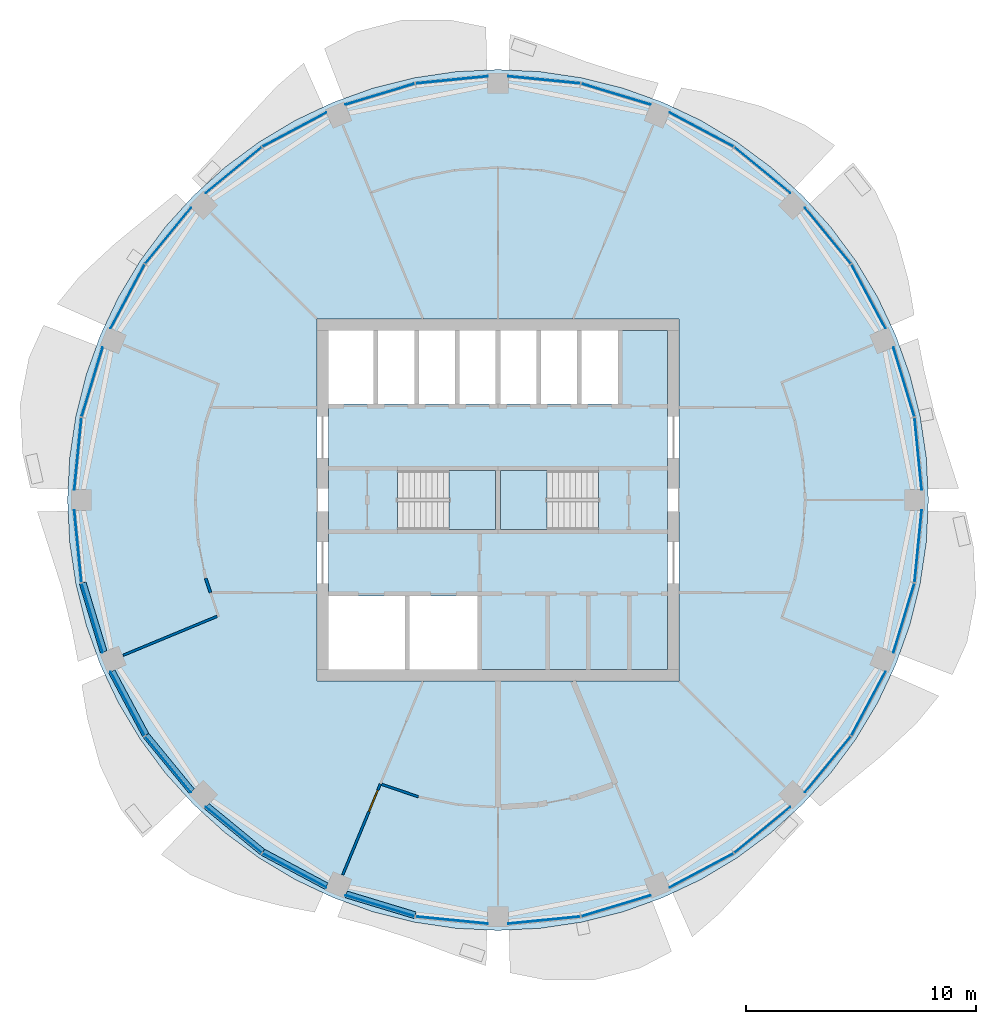
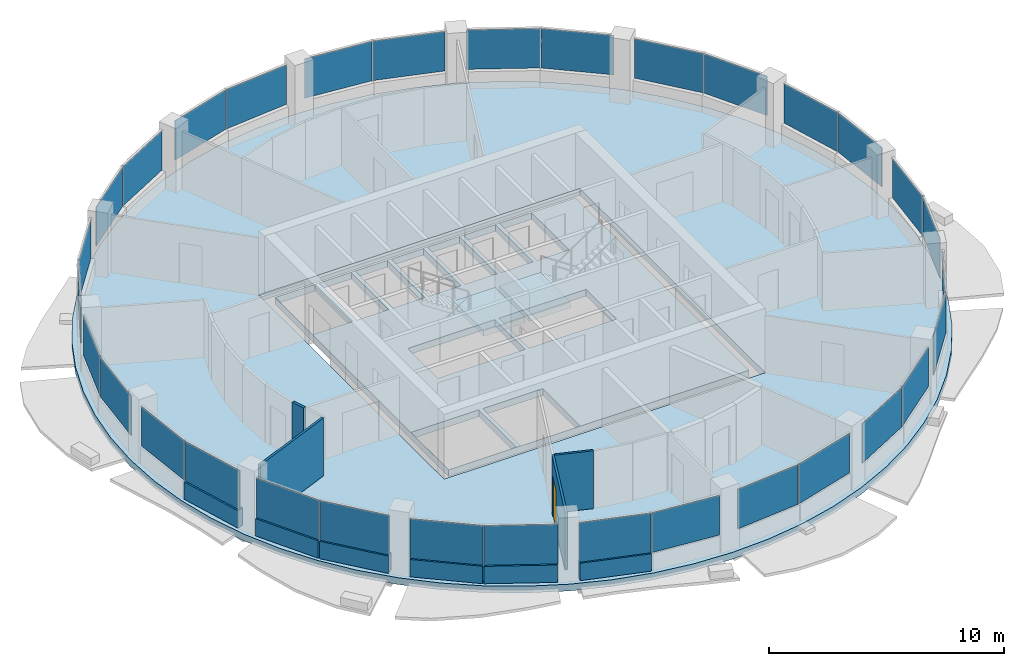
# One storey, part 7 of 15: 32 plates, 10 walls, 4 slabs, 1 door, 1 opening, 18 elements without a shape of their own.
"""IFC4 building model written with IfcOpenShell, lengths in metres."""

import ifcopenshell
import ifcopenshell.guid

model = None  # the IFC model being written
_history = None  # IfcOwnerHistory: only IFC2X3 demands one
_inside = {}  # id of a spatial element -> (the spatial element, [elements in it])
_under = {}  # id of a project, library or spatial element -> (it, [spatial elements below it])
_declared = {}  # id of a project -> (the project, [libraries it declares])
_typed = {}  # id of a type object -> (the type object, [elements of that type])
_made_of = {}  # id of a material, layer set ... -> (it, [elements and type objects made of it])


def new_model(schema):
    """Start an empty IFC model of exactly this schema.

    Asked for "IFC4X3", IfcOpenShell would pick the latest addendum, in which some entities
    have other attributes; the version numbers below select the first issue.
    IFC2X3 requires an IfcOwnerHistory on every rooted entity: one is made here for all.
    """
    global model, _history
    if schema == "IFC4X3":
        model = ifcopenshell.file(schema_version=(4, 3, 0, 0))
    else:
        model = ifcopenshell.file(schema=schema)
    _inside.clear()
    _under.clear()
    _declared.clear()
    _typed.clear()
    _made_of.clear()
    _history = None
    if model.schema == "IFC2X3":
        org = make("IfcOrganization", Name="unknown")
        user = make(
            "IfcPersonAndOrganization",
            ThePerson=make("IfcPerson", FamilyName="unknown"),
            TheOrganization=org,
        )
        app = make(
            "IfcApplication",
            ApplicationDeveloper=org,
            Version="unknown",
            ApplicationFullName="unknown",
            ApplicationIdentifier="unknown",
        )
        _history = make(
            "IfcOwnerHistory",
            OwningUser=user,
            OwningApplication=app,
            ChangeAction="ADDED",
            CreationDate=0,
        )
    return model


def make(cls, **values):
    """One entity of the class cls with the attributes given. An attribute that is None is left unset."""
    return model.create_entity(
        cls, **{name: value for name, value in values.items() if value is not None}
    )


def rooted(cls, **values):
    """An entity with a GlobalId (a new one), such as an element, a storey or a relation."""
    return make(cls, GlobalId=ifcopenshell.guid.new(), OwnerHistory=_history, **values)


def si_unit(unit_type, name, prefix=None):
    """IfcSIUnit, for example si_unit("LENGTHUNIT", "METRE", prefix="MILLI")."""
    return make("IfcSIUnit", UnitType=unit_type, Prefix=prefix, Name=name)


def assignment(units):
    """IfcUnitAssignment: the units of a project."""
    return None if units is None else make("IfcUnitAssignment", Units=units)


def point(xyz):
    """IfcCartesianPoint."""
    return None if xyz is None else make("IfcCartesianPoint", Coordinates=xyz)


def direction(xyz):
    """IfcDirection."""
    return None if xyz is None else make("IfcDirection", DirectionRatios=xyz)


def frame(location, z_axis=None, x_axis=None):
    """IfcAxis2Placement3D, a coordinate frame: its origin and axes. An axis left out is left unset."""
    return make(
        "IfcAxis2Placement3D",
        Location=point(location),
        Axis=direction(z_axis),
        RefDirection=direction(x_axis),
    )


def frame_2d(location, x_axis=None):
    """IfcAxis2Placement2D, a coordinate frame in the plane: its origin and x axis."""
    return make(
        "IfcAxis2Placement2D", Location=point(location), RefDirection=direction(x_axis)
    )


def origin():
    """The frame at (0, 0, 0) with its axes left unset."""
    return frame((0.0, 0.0, 0.0))


def origin_2d():
    """The frame at (0, 0) in the plane with its x axis left unset."""
    return frame_2d((0.0, 0.0))


def place(relative_to, where):
    """IfcLocalPlacement: puts the frame where relative to a parent placement (None: the world)."""
    return make(
        "IfcLocalPlacement", PlacementRelTo=relative_to, RelativePlacement=where
    )


def context(
    kind, dimensions, precision=None, world=None, true_north=None, identifier=None
):
    """IfcGeometricRepresentationContext, for example the 3D "Model" context."""
    return make(
        "IfcGeometricRepresentationContext",
        ContextIdentifier=identifier,
        ContextType=kind,
        CoordinateSpaceDimension=dimensions,
        Precision=precision,
        WorldCoordinateSystem=world,
        TrueNorth=true_north,
    )


def subcontext(parent, identifier, kind, view, scale=None):
    """IfcGeometricRepresentationSubContext, for example "Body" below "Model"."""
    return make(
        "IfcGeometricRepresentationSubContext",
        ContextIdentifier=identifier,
        ContextType=kind,
        ParentContext=parent,
        TargetScale=scale,
        TargetView=view,
    )


def project(units=None, contexts=None):
    """IfcProject with its units and contexts."""
    return rooted(
        "IfcProject",
        Name="project",
        RepresentationContexts=contexts,
        UnitsInContext=assignment(units),
    )


def spatial(cls, under=None, at=None, **own):
    """A site, building, storey or space (cls), placed at a placement, below another one or the project."""
    s = rooted(cls, ObjectPlacement=at, **own)
    if under is not None:
        _under.setdefault(under.id(), (under, []))[1].append(s)
    return s


def polyline(points):
    """IfcPolyline through the points."""
    return make("IfcPolyline", Points=[point(p) for p in points])


def profile(cls, at=None, kind="AREA", **sizes):
    """A parametric profile (cls). Its sizes go by their IFC names, for example OverallWidth=200.0."""
    return make(cls, ProfileType=kind, Position=at, **sizes)


def rectangle(**sizes):
    """IfcRectangleProfileDef."""
    return profile("IfcRectangleProfileDef", **sizes)


def outline(outer, holes=None, kind="AREA"):
    """IfcArbitraryClosedProfileDef: a profile drawn as a closed curve; with holes, ...WithVoids."""
    if holes is None:
        return make("IfcArbitraryClosedProfileDef", ProfileType=kind, OuterCurve=outer)
    return make(
        "IfcArbitraryProfileDefWithVoids",
        ProfileType=kind,
        OuterCurve=outer,
        InnerCurves=holes,
    )


def extrude(swept, where, along, depth):
    """IfcExtrudedAreaSolid: the profile swept, set in the frame where, extruded along a direction by depth."""
    return make(
        "IfcExtrudedAreaSolid",
        SweptArea=swept,
        Position=where,
        ExtrudedDirection=direction(along),
        Depth=depth,
    )


def shape(context_of_items, identifier, shape_type, items):
    """IfcShapeRepresentation: the items that make up one representation, for example the "Body"."""
    return make(
        "IfcShapeRepresentation",
        ContextOfItems=context_of_items,
        RepresentationIdentifier=identifier,
        RepresentationType=shape_type,
        Items=items,
    )


def material(Name=None, Category=None):
    """IfcMaterial."""
    return make("IfcMaterial", Name=Name, Category=Category)


def layer(
    of_material, thickness, ventilated=None, Name=None, Category=None, Priority=None
):
    """IfcMaterialLayer: one layer of a wall or slab, of a material (None: an air gap)."""
    return make(
        "IfcMaterialLayer",
        Material=of_material,
        LayerThickness=thickness,
        IsVentilated=ventilated,
        Name=Name,
        Category=Category,
        Priority=Priority,
    )


def layer_set(layers, Name=None):
    """IfcMaterialLayerSet."""
    return make("IfcMaterialLayerSet", MaterialLayers=layers, LayerSetName=Name)


def made_of(thing, what):
    """Note that an element or type object is made of a material, layer set ...; save() writes the relation."""
    if what is not None:
        _made_of.setdefault(what.id(), (what, []))[1].append(thing)
    return thing


def type_object(cls, material=None, **own):
    """A type object (cls), such as IfcWallType, which elements share."""
    return made_of(rooted(cls, **own), material)


def element(
    cls,
    number,
    at=None,
    inside=None,
    cuts=None,
    type_object=None,
    material=None,
    context=None,
    identifier="Body",
    shape_type=None,
    held_by="IfcProductDefinitionShape",
    body=None,
    shapes=None,
    **own,
):
    """One element of the class cls, such as IfcWall. Its Tag is "e" and its number.

    at: its placement. inside: the storey or other place that contains it. cuts: it is an
    opening in that element (IfcRelVoidsElement). A single representation is given by context,
    identifier, shape_type and body (its items); several are given by shapes. held_by: the class
    of the entity that holds the representations. save() writes the other relations.
    """
    e = rooted(cls, Tag="e%d" % number, ObjectPlacement=at, **own)
    if body is not None:
        shapes = [shape(context, identifier, shape_type, body)]
    if shapes is not None:
        e.Representation = make(held_by, Representations=shapes)
    if inside is not None:
        _inside.setdefault(inside.id(), (inside, []))[1].append(e)
    if cuts is not None:
        rooted(
            "IfcRelVoidsElement", RelatingBuildingElement=cuts, RelatedOpeningElement=e
        )
    if type_object is not None:
        _typed.setdefault(type_object.id(), (type_object, []))[1].append(e)
    return made_of(e, material)


def fill(opening, filler):
    """IfcRelFillsElement: the door or window that sits in an opening."""
    return rooted(
        "IfcRelFillsElement",
        RelatingOpeningElement=opening,
        RelatedBuildingElement=filler,
    )


def aggregate(whole, parts):
    """IfcRelAggregates: a whole, such as a stair, and the parts it consists of."""
    return rooted("IfcRelAggregates", RelatingObject=whole, RelatedObjects=parts)


def save(model, path):
    """Write the relations noted so far, then the file.

    IfcRelAggregates (storeys below a building ...), IfcRelContainedInSpatialStructure (elements
    in a storey), IfcRelDefinesByType, IfcRelAssociatesMaterial and IfcRelDeclares: one each for
    every whole, place, type object, material and project.
    """
    for whole, parts in _under.values():
        aggregate(whole, parts)
    for where, things in _inside.values():
        rooted(
            "IfcRelContainedInSpatialStructure",
            RelatedElements=things,
            RelatingStructure=where,
        )
    for kind, things in _typed.values():
        rooted("IfcRelDefinesByType", RelatedObjects=things, RelatingType=kind)
    for what, things in _made_of.values():
        rooted("IfcRelAssociatesMaterial", RelatedObjects=things, RelatingMaterial=what)
    for by, libraries in _declared.values():
        rooted("IfcRelDeclares", RelatingContext=by, RelatedDefinitions=libraries)
    model.write(path)


model = new_model("IFC4")

# Units and contexts
model_context = context("Model", 3, precision=1e-05, world=origin(), true_north=direction((0.0, 1.0)))
body_context = subcontext(model_context, "Body", "Model", "MODEL_VIEW")
ifc_project = project(units=[si_unit("LENGTHUNIT", "METRE"), si_unit("AREAUNIT", "SQUARE_METRE"), si_unit("VOLUMEUNIT", "CUBIC_METRE"), si_unit("PLANEANGLEUNIT", "RADIAN"), si_unit("MASSUNIT", "GRAM", prefix="KILO")], contexts=[model_context])

# Site, building, storey
site_placement = place(None, origin())
site = spatial("IfcSite", under=ifc_project, at=site_placement, CompositionType="ELEMENT")
building_placement = place(site_placement, origin())
building = spatial("IfcBuilding", under=site, at=building_placement, Name="Polderwave Tower", CompositionType="ELEMENT")
storey_placement = place(building_placement, frame((0.0, 0.0, 167.550048828125)))
storey = spatial("IfcBuildingStorey", under=building, at=storey_placement, Name="L44", CompositionType="ELEMENT", Elevation=167.550048828125)

# Slab
ifc_material_1 = material(Name="Concrete C40/50", Category="concrete")
ifc_layer_1 = layer(ifc_material_1, 0.35009765625)
ifc_layer_set_1 = layer_set([ifc_layer_1], Name="Core floor slab 350")
slab_type_1 = type_object("IfcSlabType", Name="Core floor slab 350", PredefinedType="FLOOR", material=ifc_layer_set_1)
slab_1_placement = place(storey_placement, frame((0.0, 0.0, -0.35009765625)))
element("IfcSlab", 1, at=slab_1_placement, inside=storey, type_object=slab_type_1, Name="L44 core floor", PredefinedType="FLOOR", context=body_context, shape_type="SweptSolid", body=[
    extrude(outline(polyline([(-7.3740234375, -7.3740234375), (7.3740234375, -7.3740234375), (7.3740234375, 7.3740234375), (-7.3740234375, 7.3740234375), (-7.3740234375, -7.3740234375)]), holes=[polyline([(-7.35400390625, -7.35400390625), (-4.037109375, -7.35400390625), (-4.037109375, -4.174072265625), (-7.35400390625, -4.174072265625), (-7.35400390625, -7.35400390625)]), polyline([(-3.8369140625, -7.35400390625), (-0.89990234375, -7.35400390625), (-0.89990234375, -4.174072265625), (-3.8369140625, -4.174072265625), (-3.8369140625, -7.35400390625)]), polyline([(-7.35400390625, 4.174072265625), (-5.405517578125, 4.174072265625), (-5.405517578125, 7.35400390625), (-7.35400390625, 7.35400390625), (-7.35400390625, 4.174072265625)]), polyline([(-5.20556640625, 4.174072265625), (-3.636962890625, 4.174072265625), (-3.636962890625, 7.35400390625), (-5.20556640625, 7.35400390625), (-5.20556640625, 4.174072265625)]), polyline([(-3.43701171875, 4.174072265625), (-1.868408203125, 4.174072265625), (-1.868408203125, 7.35400390625), (-3.43701171875, 7.35400390625), (-3.43701171875, 4.174072265625)]), polyline([(-1.66845703125, 4.174072265625), (-0.10009765625, 4.174072265625), (-0.10009765625, 7.35400390625), (-1.66845703125, 7.35400390625), (-1.66845703125, 4.174072265625)]), polyline([(0.10009765625, 4.174072265625), (1.66845703125, 4.174072265625), (1.66845703125, 7.35400390625), (0.10009765625, 7.35400390625), (0.10009765625, 4.174072265625)]), polyline([(1.868408203125, 4.174072265625), (3.43701171875, 4.174072265625), (3.43701171875, 7.35400390625), (1.868408203125, 7.35400390625), (1.868408203125, 4.174072265625)]), polyline([(3.636962890625, 4.174072265625), (5.20556640625, 4.174072265625), (5.20556640625, 7.35400390625), (3.636962890625, 7.35400390625), (3.636962890625, 4.174072265625)]), polyline([(-4.37353515625, -1.2744140625), (-0.1005859375, -1.2744140625), (-0.1005859375, 1.2744140625), (-4.37353515625, 1.2744140625), (-4.37353515625, -1.2744140625)]), polyline([(0.1005859375, -1.2744140625), (4.37353515625, -1.2744140625), (4.37353515625, 1.2744140625), (0.1005859375, 1.2744140625), (0.1005859375, -1.2744140625)])]), origin(), (0.0, 0.0, 1.0), 0.35009765625),
])

# Curtain wall, plates
ifc_material_2 = material(Name="Aluminium 6063-T6 and glass", Category="aluminium")
curtain_wall_type = type_object("IfcCurtainWallType", Name="Office ribbon glazing wall", PredefinedType="NOTDEFINED", material=ifc_material_2)
curtain_wall_1_placement = place(storey_placement, origin())
curtain_wall_1 = element("IfcCurtainWall", 2, at=curtain_wall_1_placement, inside=storey, type_object=curtain_wall_type, Name="CW3 L44 00", PredefinedType="NOTDEFINED")
ifc_material_3 = material(Name="Glass, low-e laminated double glazing", Category="glass")
ifc_layer_2 = layer(ifc_material_3, 0.031982421875)
ifc_layer_set_2 = layer_set([ifc_layer_2], Name="Office ribbon glazing glass panel 32 mm")
plate_type = type_object("IfcPlateType", Name="Office ribbon glazing glass panel 32 mm", PredefinedType="CURTAIN_PANEL", material=ifc_layer_set_2)
plate_1_placement = place(storey_placement, frame((18.251953125, 2.0107421875, 0.89990234375), z_axis=(0.0, 0.0, 1.0), x_axis=(-0.098282886359, 0.995158517146, 0.0)))
plate_1 = element("IfcPlate", 3, at=plate_1_placement, type_object=plate_type, Name="CW3 panel 1", PredefinedType="CURTAIN_PANEL", context=body_context, shape_type="SweptSolid", body=[
    extrude(rectangle(XDim=3.13671875, YDim=0.031982421875, at=origin_2d()), origin(), (0.0, 0.0, 1.0), 2.0400390625),
])
plate_2_placement = place(storey_placement, frame((17.632080078125, 5.126708984375, 0.89990234375), z_axis=(0.0, 0.0, 1.0), x_axis=(-0.290042492447, 0.957013768227, 0.0)))
plate_2 = element("IfcPlate", 4, at=plate_2_placement, type_object=plate_type, Name="CW3 panel 2", PredefinedType="CURTAIN_PANEL", context=body_context, shape_type="SweptSolid", body=[
    extrude(rectangle(XDim=3.1376953125, YDim=0.031982421875, at=origin_2d()), origin(), (0.0, 0.0, 1.0), 2.0400390625),
])
aggregate(curtain_wall_1, [plate_1, plate_2])

curtain_wall_2_placement = place(storey_placement, origin())
curtain_wall_2 = element("IfcCurtainWall", 5, at=curtain_wall_2_placement, inside=storey, type_object=curtain_wall_type, Name="CW3 L44 01", PredefinedType="NOTDEFINED")
plate_3_placement = place(storey_placement, frame((16.093017578125, 8.84228515625, 0.89990234375), z_axis=(0.0, 0.0, 1.0), x_axis=(-0.471195083676, 0.882029020565, 0.0)))
plate_3 = element("IfcPlate", 6, at=plate_3_placement, type_object=plate_type, Name="CW3 panel 1", PredefinedType="CURTAIN_PANEL", context=body_context, shape_type="SweptSolid", body=[
    extrude(rectangle(XDim=3.13671875, YDim=0.031982421875, at=origin_2d()), origin(), (0.0, 0.0, 1.0), 2.0400390625),
])
plate_4_placement = place(storey_placement, frame((14.328369140625, 11.484130859375, 0.89990234375), z_axis=(0.0, 0.0, 1.0), x_axis=(-0.634355506989, 0.773041454744, 0.0)))
plate_4 = element("IfcPlate", 7, at=plate_4_placement, type_object=plate_type, Name="CW3 panel 2", PredefinedType="CURTAIN_PANEL", context=body_context, shape_type="SweptSolid", body=[
    extrude(rectangle(XDim=3.137939453125, YDim=0.031982421875, at=origin_2d()), origin(), (0.0, 0.0, 1.0), 2.0400390625),
])
aggregate(curtain_wall_2, [plate_3, plate_4])

curtain_wall_3_placement = place(storey_placement, origin())
curtain_wall_3 = element("IfcCurtainWall", 8, at=curtain_wall_3_placement, inside=storey, type_object=curtain_wall_type, Name="CW3 L44 02", PredefinedType="NOTDEFINED")
plate_5_placement = place(storey_placement, frame((11.484130859375, 14.328369140625, 0.89990234375), z_axis=(0.0, 0.0, 1.0), x_axis=(-0.773041454744, 0.634355506989, 0.0)))
plate_5 = element("IfcPlate", 9, at=plate_5_placement, type_object=plate_type, Name="CW3 panel 1", PredefinedType="CURTAIN_PANEL", context=body_context, shape_type="SweptSolid", body=[
    extrude(rectangle(XDim=3.137939453125, YDim=0.031982421875, at=origin_2d()), origin(), (0.0, 0.0, 1.0), 2.0400390625),
])
plate_6_placement = place(storey_placement, frame((8.84228515625, 16.093017578125, 0.89990234375), z_axis=(0.0, 0.0, 1.0), x_axis=(-0.882029020565, 0.471195083676, 0.0)))
plate_6 = element("IfcPlate", 10, at=plate_6_placement, type_object=plate_type, Name="CW3 panel 2", PredefinedType="CURTAIN_PANEL", context=body_context, shape_type="SweptSolid", body=[
    extrude(rectangle(XDim=3.13671875, YDim=0.031982421875, at=origin_2d()), origin(), (0.0, 0.0, 1.0), 2.0400390625),
])
aggregate(curtain_wall_3, [plate_5, plate_6])

curtain_wall_4_placement = place(storey_placement, origin())
curtain_wall_4 = element("IfcCurtainWall", 11, at=curtain_wall_4_placement, inside=storey, type_object=curtain_wall_type, Name="CW3 L44 03", PredefinedType="NOTDEFINED")
plate_7_placement = place(storey_placement, frame((5.126708984375, 17.632080078125, 0.89990234375), z_axis=(0.0, 0.0, 1.0), x_axis=(-0.957013768227, 0.290042492447, 0.0)))
plate_7 = element("IfcPlate", 12, at=plate_7_placement, type_object=plate_type, Name="CW3 panel 1", PredefinedType="CURTAIN_PANEL", context=body_context, shape_type="SweptSolid", body=[
    extrude(rectangle(XDim=3.1376953125, YDim=0.031982421875, at=origin_2d()), origin(), (0.0, 0.0, 1.0), 2.0400390625),
])
plate_8_placement = place(storey_placement, frame((2.0107421875, 18.251953125, 0.89990234375), z_axis=(0.0, 0.0, 1.0), x_axis=(-0.995158517146, 0.098282886359, 0.0)))
plate_8 = element("IfcPlate", 13, at=plate_8_placement, type_object=plate_type, Name="CW3 panel 2", PredefinedType="CURTAIN_PANEL", context=body_context, shape_type="SweptSolid", body=[
    extrude(rectangle(XDim=3.13671875, YDim=0.031982421875, at=origin_2d()), origin(), (0.0, 0.0, 1.0), 2.0400390625),
])
aggregate(curtain_wall_4, [plate_7, plate_8])

curtain_wall_5_placement = place(storey_placement, origin())
curtain_wall_5 = element("IfcCurtainWall", 14, at=curtain_wall_5_placement, inside=storey, type_object=curtain_wall_type, Name="CW3 L44 04", PredefinedType="NOTDEFINED")
plate_9_placement = place(storey_placement, frame((-2.0107421875, 18.251953125, 0.89990234375), z_axis=(0.0, 0.0, 1.0), x_axis=(-0.995158517146, -0.098282886359, 0.0)))
plate_9 = element("IfcPlate", 15, at=plate_9_placement, type_object=plate_type, Name="CW3 panel 1", PredefinedType="CURTAIN_PANEL", context=body_context, shape_type="SweptSolid", body=[
    extrude(rectangle(XDim=3.13671875, YDim=0.031982421875, at=origin_2d()), origin(), (0.0, 0.0, 1.0), 2.0400390625),
])
plate_10_placement = place(storey_placement, frame((-5.126708984375, 17.632080078125, 0.89990234375), z_axis=(0.0, 0.0, 1.0), x_axis=(-0.957013768227, -0.290042492447, 0.0)))
plate_10 = element("IfcPlate", 16, at=plate_10_placement, type_object=plate_type, Name="CW3 panel 2", PredefinedType="CURTAIN_PANEL", context=body_context, shape_type="SweptSolid", body=[
    extrude(rectangle(XDim=3.1376953125, YDim=0.031982421875, at=origin_2d()), origin(), (0.0, 0.0, 1.0), 2.0400390625),
])
aggregate(curtain_wall_5, [plate_9, plate_10])

curtain_wall_6_placement = place(storey_placement, origin())
curtain_wall_6 = element("IfcCurtainWall", 17, at=curtain_wall_6_placement, inside=storey, type_object=curtain_wall_type, Name="CW3 L44 05", PredefinedType="NOTDEFINED")
plate_11_placement = place(storey_placement, frame((-8.84228515625, 16.093017578125, 0.89990234375), z_axis=(0.0, 0.0, 1.0), x_axis=(-0.882029020565, -0.471195083676, 0.0)))
plate_11 = element("IfcPlate", 18, at=plate_11_placement, type_object=plate_type, Name="CW3 panel 1", PredefinedType="CURTAIN_PANEL", context=body_context, shape_type="SweptSolid", body=[
    extrude(rectangle(XDim=3.13671875, YDim=0.031982421875, at=origin_2d()), origin(), (0.0, 0.0, 1.0), 2.0400390625),
])
plate_12_placement = place(storey_placement, frame((-11.484130859375, 14.328369140625, 0.89990234375), z_axis=(0.0, 0.0, 1.0), x_axis=(-0.773041454744, -0.634355506989, 0.0)))
plate_12 = element("IfcPlate", 19, at=plate_12_placement, type_object=plate_type, Name="CW3 panel 2", PredefinedType="CURTAIN_PANEL", context=body_context, shape_type="SweptSolid", body=[
    extrude(rectangle(XDim=3.137939453125, YDim=0.031982421875, at=origin_2d()), origin(), (0.0, 0.0, 1.0), 2.0400390625),
])
aggregate(curtain_wall_6, [plate_11, plate_12])

curtain_wall_7_placement = place(storey_placement, origin())
curtain_wall_7 = element("IfcCurtainWall", 20, at=curtain_wall_7_placement, inside=storey, type_object=curtain_wall_type, Name="CW3 L44 06", PredefinedType="NOTDEFINED")
plate_13_placement = place(storey_placement, frame((-14.328369140625, 11.484130859375, 0.89990234375), z_axis=(0.0, 0.0, 1.0), x_axis=(-0.634355506989, -0.773041454744, 0.0)))
plate_13 = element("IfcPlate", 21, at=plate_13_placement, type_object=plate_type, Name="CW3 panel 1", PredefinedType="CURTAIN_PANEL", context=body_context, shape_type="SweptSolid", body=[
    extrude(rectangle(XDim=3.137939453125, YDim=0.031982421875, at=origin_2d()), origin(), (0.0, 0.0, 1.0), 2.0400390625),
])
plate_14_placement = place(storey_placement, frame((-16.093017578125, 8.84228515625, 0.89990234375), z_axis=(0.0, 0.0, 1.0), x_axis=(-0.471195083676, -0.882029020565, 0.0)))
plate_14 = element("IfcPlate", 22, at=plate_14_placement, type_object=plate_type, Name="CW3 panel 2", PredefinedType="CURTAIN_PANEL", context=body_context, shape_type="SweptSolid", body=[
    extrude(rectangle(XDim=3.13671875, YDim=0.031982421875, at=origin_2d()), origin(), (0.0, 0.0, 1.0), 2.0400390625),
])
aggregate(curtain_wall_7, [plate_13, plate_14])

curtain_wall_8_placement = place(storey_placement, origin())
curtain_wall_8 = element("IfcCurtainWall", 23, at=curtain_wall_8_placement, inside=storey, type_object=curtain_wall_type, Name="CW3 L44 07", PredefinedType="NOTDEFINED")
plate_15_placement = place(storey_placement, frame((-17.632080078125, 5.126708984375, 0.89990234375), z_axis=(0.0, 0.0, 1.0), x_axis=(-0.290042492447, -0.957013768227, 0.0)))
plate_15 = element("IfcPlate", 24, at=plate_15_placement, type_object=plate_type, Name="CW3 panel 1", PredefinedType="CURTAIN_PANEL", context=body_context, shape_type="SweptSolid", body=[
    extrude(rectangle(XDim=3.1376953125, YDim=0.031982421875, at=origin_2d()), origin(), (0.0, 0.0, 1.0), 2.0400390625),
])
plate_16_placement = place(storey_placement, frame((-18.251953125, 2.0107421875, 0.89990234375), z_axis=(0.0, 0.0, 1.0), x_axis=(-0.098282886359, -0.995158517146, 0.0)))
plate_16 = element("IfcPlate", 25, at=plate_16_placement, type_object=plate_type, Name="CW3 panel 2", PredefinedType="CURTAIN_PANEL", context=body_context, shape_type="SweptSolid", body=[
    extrude(rectangle(XDim=3.13671875, YDim=0.031982421875, at=origin_2d()), origin(), (0.0, 0.0, 1.0), 2.0400390625),
])
aggregate(curtain_wall_8, [plate_15, plate_16])

curtain_wall_9_placement = place(storey_placement, origin())
curtain_wall_9 = element("IfcCurtainWall", 26, at=curtain_wall_9_placement, inside=storey, type_object=curtain_wall_type, Name="CW3 L44 08", PredefinedType="NOTDEFINED")
plate_17_placement = place(storey_placement, frame((-18.251953125, -2.0107421875, 0.89990234375), z_axis=(0.0, 0.0, 1.0), x_axis=(0.098282886359, -0.995158517146, 0.0)))
plate_17 = element("IfcPlate", 27, at=plate_17_placement, type_object=plate_type, Name="CW3 panel 1", PredefinedType="CURTAIN_PANEL", context=body_context, shape_type="SweptSolid", body=[
    extrude(rectangle(XDim=3.13671875, YDim=0.031982421875, at=origin_2d()), origin(), (0.0, 0.0, 1.0), 2.0400390625),
])
plate_18_placement = place(storey_placement, frame((-17.632080078125, -5.126708984375, 0.89990234375), z_axis=(0.0, 0.0, 1.0), x_axis=(0.290042492447, -0.957013768227, 0.0)))
plate_18 = element("IfcPlate", 28, at=plate_18_placement, type_object=plate_type, Name="CW3 panel 2", PredefinedType="CURTAIN_PANEL", context=body_context, shape_type="SweptSolid", body=[
    extrude(rectangle(XDim=3.1376953125, YDim=0.031982421875, at=origin_2d()), origin(), (0.0, 0.0, 1.0), 2.0400390625),
])
aggregate(curtain_wall_9, [plate_17, plate_18])

curtain_wall_10_placement = place(storey_placement, origin())
curtain_wall_10 = element("IfcCurtainWall", 29, at=curtain_wall_10_placement, inside=storey, type_object=curtain_wall_type, Name="CW3 L44 09", PredefinedType="NOTDEFINED")
plate_19_placement = place(storey_placement, frame((-16.093017578125, -8.84228515625, 0.89990234375), z_axis=(0.0, 0.0, 1.0), x_axis=(0.471195083676, -0.882029020565, 0.0)))
plate_19 = element("IfcPlate", 30, at=plate_19_placement, type_object=plate_type, Name="CW3 panel 1", PredefinedType="CURTAIN_PANEL", context=body_context, shape_type="SweptSolid", body=[
    extrude(rectangle(XDim=3.13671875, YDim=0.031982421875, at=origin_2d()), origin(), (0.0, 0.0, 1.0), 2.0400390625),
])
plate_20_placement = place(storey_placement, frame((-14.328369140625, -11.484130859375, 0.89990234375), z_axis=(0.0, 0.0, 1.0), x_axis=(0.634355506989, -0.773041454744, 0.0)))
plate_20 = element("IfcPlate", 31, at=plate_20_placement, type_object=plate_type, Name="CW3 panel 2", PredefinedType="CURTAIN_PANEL", context=body_context, shape_type="SweptSolid", body=[
    extrude(rectangle(XDim=3.137939453125, YDim=0.031982421875, at=origin_2d()), origin(), (0.0, 0.0, 1.0), 2.0400390625),
])
aggregate(curtain_wall_10, [plate_19, plate_20])

curtain_wall_11_placement = place(storey_placement, origin())
curtain_wall_11 = element("IfcCurtainWall", 32, at=curtain_wall_11_placement, inside=storey, type_object=curtain_wall_type, Name="CW3 L44 10", PredefinedType="NOTDEFINED")
plate_21_placement = place(storey_placement, frame((-11.484130859375, -14.328369140625, 0.89990234375), z_axis=(0.0, 0.0, 1.0), x_axis=(0.773041454744, -0.634355506989, 0.0)))
plate_21 = element("IfcPlate", 33, at=plate_21_placement, type_object=plate_type, Name="CW3 panel 1", PredefinedType="CURTAIN_PANEL", context=body_context, shape_type="SweptSolid", body=[
    extrude(rectangle(XDim=3.137939453125, YDim=0.031982421875, at=origin_2d()), origin(), (0.0, 0.0, 1.0), 2.0400390625),
])
plate_22_placement = place(storey_placement, frame((-8.84228515625, -16.093017578125, 0.89990234375), z_axis=(0.0, 0.0, 1.0), x_axis=(0.882029020565, -0.471195083676, 0.0)))
plate_22 = element("IfcPlate", 34, at=plate_22_placement, type_object=plate_type, Name="CW3 panel 2", PredefinedType="CURTAIN_PANEL", context=body_context, shape_type="SweptSolid", body=[
    extrude(rectangle(XDim=3.13671875, YDim=0.031982421875, at=origin_2d()), origin(), (0.0, 0.0, 1.0), 2.0400390625),
])
aggregate(curtain_wall_11, [plate_21, plate_22])

curtain_wall_12_placement = place(storey_placement, origin())
curtain_wall_12 = element("IfcCurtainWall", 35, at=curtain_wall_12_placement, inside=storey, type_object=curtain_wall_type, Name="CW3 L44 11", PredefinedType="NOTDEFINED")
plate_23_placement = place(storey_placement, frame((-5.126708984375, -17.632080078125, 0.89990234375), z_axis=(0.0, 0.0, 1.0), x_axis=(0.957013768227, -0.290042492447, 0.0)))
plate_23 = element("IfcPlate", 36, at=plate_23_placement, type_object=plate_type, Name="CW3 panel 1", PredefinedType="CURTAIN_PANEL", context=body_context, shape_type="SweptSolid", body=[
    extrude(rectangle(XDim=3.1376953125, YDim=0.031982421875, at=origin_2d()), origin(), (0.0, 0.0, 1.0), 2.0400390625),
])
plate_24_placement = place(storey_placement, frame((-2.0107421875, -18.251953125, 0.89990234375), z_axis=(0.0, 0.0, 1.0), x_axis=(0.995158517146, -0.098282886359, 0.0)))
plate_24 = element("IfcPlate", 37, at=plate_24_placement, type_object=plate_type, Name="CW3 panel 2", PredefinedType="CURTAIN_PANEL", context=body_context, shape_type="SweptSolid", body=[
    extrude(rectangle(XDim=3.13671875, YDim=0.031982421875, at=origin_2d()), origin(), (0.0, 0.0, 1.0), 2.0400390625),
])
aggregate(curtain_wall_12, [plate_23, plate_24])

curtain_wall_13_placement = place(storey_placement, origin())
curtain_wall_13 = element("IfcCurtainWall", 38, at=curtain_wall_13_placement, inside=storey, type_object=curtain_wall_type, Name="CW3 L44 12", PredefinedType="NOTDEFINED")
plate_25_placement = place(storey_placement, frame((2.0107421875, -18.251953125, 0.89990234375), z_axis=(0.0, 0.0, 1.0), x_axis=(0.995158517146, 0.098282886359, 0.0)))
plate_25 = element("IfcPlate", 39, at=plate_25_placement, type_object=plate_type, Name="CW3 panel 1", PredefinedType="CURTAIN_PANEL", context=body_context, shape_type="SweptSolid", body=[
    extrude(rectangle(XDim=3.13671875, YDim=0.031982421875, at=origin_2d()), origin(), (0.0, 0.0, 1.0), 2.0400390625),
])
plate_26_placement = place(storey_placement, frame((5.126708984375, -17.632080078125, 0.89990234375), z_axis=(0.0, 0.0, 1.0), x_axis=(0.957013768227, 0.290042492447, 0.0)))
plate_26 = element("IfcPlate", 40, at=plate_26_placement, type_object=plate_type, Name="CW3 panel 2", PredefinedType="CURTAIN_PANEL", context=body_context, shape_type="SweptSolid", body=[
    extrude(rectangle(XDim=3.1376953125, YDim=0.031982421875, at=origin_2d()), origin(), (0.0, 0.0, 1.0), 2.0400390625),
])
aggregate(curtain_wall_13, [plate_25, plate_26])

curtain_wall_14_placement = place(storey_placement, origin())
curtain_wall_14 = element("IfcCurtainWall", 41, at=curtain_wall_14_placement, inside=storey, type_object=curtain_wall_type, Name="CW3 L44 13", PredefinedType="NOTDEFINED")
plate_27_placement = place(storey_placement, frame((8.84228515625, -16.093017578125, 0.89990234375), z_axis=(0.0, 0.0, 1.0), x_axis=(0.882029020565, 0.471195083676, 0.0)))
plate_27 = element("IfcPlate", 42, at=plate_27_placement, type_object=plate_type, Name="CW3 panel 1", PredefinedType="CURTAIN_PANEL", context=body_context, shape_type="SweptSolid", body=[
    extrude(rectangle(XDim=3.13671875, YDim=0.031982421875, at=origin_2d()), origin(), (0.0, 0.0, 1.0), 2.0400390625),
])
plate_28_placement = place(storey_placement, frame((11.484130859375, -14.328369140625, 0.89990234375), z_axis=(0.0, 0.0, 1.0), x_axis=(0.773041454744, 0.634355506989, 0.0)))
plate_28 = element("IfcPlate", 43, at=plate_28_placement, type_object=plate_type, Name="CW3 panel 2", PredefinedType="CURTAIN_PANEL", context=body_context, shape_type="SweptSolid", body=[
    extrude(rectangle(XDim=3.137939453125, YDim=0.031982421875, at=origin_2d()), origin(), (0.0, 0.0, 1.0), 2.0400390625),
])
aggregate(curtain_wall_14, [plate_27, plate_28])

curtain_wall_15_placement = place(storey_placement, origin())
curtain_wall_15 = element("IfcCurtainWall", 44, at=curtain_wall_15_placement, inside=storey, type_object=curtain_wall_type, Name="CW3 L44 14", PredefinedType="NOTDEFINED")
plate_29_placement = place(storey_placement, frame((14.328369140625, -11.484130859375, 0.89990234375), z_axis=(0.0, 0.0, 1.0), x_axis=(0.634355506989, 0.773041454744, 0.0)))
plate_29 = element("IfcPlate", 45, at=plate_29_placement, type_object=plate_type, Name="CW3 panel 1", PredefinedType="CURTAIN_PANEL", context=body_context, shape_type="SweptSolid", body=[
    extrude(rectangle(XDim=3.137939453125, YDim=0.031982421875, at=origin_2d()), origin(), (0.0, 0.0, 1.0), 2.0400390625),
])
plate_30_placement = place(storey_placement, frame((16.093017578125, -8.84228515625, 0.89990234375), z_axis=(0.0, 0.0, 1.0), x_axis=(0.471195083676, 0.882029020565, 0.0)))
plate_30 = element("IfcPlate", 46, at=plate_30_placement, type_object=plate_type, Name="CW3 panel 2", PredefinedType="CURTAIN_PANEL", context=body_context, shape_type="SweptSolid", body=[
    extrude(rectangle(XDim=3.13671875, YDim=0.031982421875, at=origin_2d()), origin(), (0.0, 0.0, 1.0), 2.0400390625),
])
aggregate(curtain_wall_15, [plate_29, plate_30])

curtain_wall_16_placement = place(storey_placement, origin())
curtain_wall_16 = element("IfcCurtainWall", 47, at=curtain_wall_16_placement, inside=storey, type_object=curtain_wall_type, Name="CW3 L44 15", PredefinedType="NOTDEFINED")
plate_31_placement = place(storey_placement, frame((17.632080078125, -5.126708984375, 0.89990234375), z_axis=(0.0, 0.0, 1.0), x_axis=(0.290042492447, 0.957013768227, 0.0)))
plate_31 = element("IfcPlate", 48, at=plate_31_placement, type_object=plate_type, Name="CW3 panel 1", PredefinedType="CURTAIN_PANEL", context=body_context, shape_type="SweptSolid", body=[
    extrude(rectangle(XDim=3.1376953125, YDim=0.031982421875, at=origin_2d()), origin(), (0.0, 0.0, 1.0), 2.0400390625),
])
plate_32_placement = place(storey_placement, frame((18.251953125, -2.0107421875, 0.89990234375), z_axis=(0.0, 0.0, 1.0), x_axis=(0.098282886359, 0.995158517146, 0.0)))
plate_32 = element("IfcPlate", 49, at=plate_32_placement, type_object=plate_type, Name="CW3 panel 2", PredefinedType="CURTAIN_PANEL", context=body_context, shape_type="SweptSolid", body=[
    extrude(rectangle(XDim=3.13671875, YDim=0.031982421875, at=origin_2d()), origin(), (0.0, 0.0, 1.0), 2.0400390625),
])
aggregate(curtain_wall_16, [plate_31, plate_32])

# Slab
ifc_layer_3 = layer(ifc_material_1, 0.35009765625)
ifc_layer_set_3 = layer_set([ifc_layer_3], Name="PT FLOOR SLAB 350 C40/50")
slab_type_2 = type_object("IfcSlabType", Name="PT FLOOR SLAB 350 C40/50", PredefinedType="FLOOR", material=ifc_layer_set_3)
slab_2_placement = place(storey_placement, frame((0.0, 0.0, -0.35009765625)))
element("IfcSlab", 50, at=slab_2_placement, inside=storey, type_object=slab_type_2, Name="ST-SLAB-L44", PredefinedType="FLOOR", context=body_context, shape_type="SweptSolid", body=[
    extrude(outline(polyline([(18.699951171875, 0.0), (18.610107421875, 1.8330078125), (18.3408203125, 3.648193359375), (17.894775390625, 5.42822265625), (17.276611328125, 7.15625), (16.491943359375, 8.815185546875), (15.548583984375, 10.38916015625), (14.455322265625, 11.86328125), (13.222900390625, 13.222900390625), (11.86328125, 14.455322265625), (10.38916015625, 15.548583984375), (8.815185546875, 16.491943359375), (7.15625, 17.276611328125), (5.42822265625, 17.894775390625), (3.648193359375, 18.3408203125), (1.8330078125, 18.610107421875), (0.0, 18.699951171875), (-1.8330078125, 18.610107421875), (-3.648193359375, 18.3408203125), (-5.42822265625, 17.894775390625), (-7.15625, 17.276611328125), (-8.815185546875, 16.491943359375), (-10.38916015625, 15.548583984375), (-11.86328125, 14.455322265625), (-13.222900390625, 13.222900390625), (-14.455322265625, 11.86328125), (-15.548583984375, 10.38916015625), (-16.491943359375, 8.815185546875), (-17.276611328125, 7.15625), (-17.894775390625, 5.42822265625), (-18.3408203125, 3.648193359375), (-18.610107421875, 1.8330078125), (-18.699951171875, 0.0), (-18.610107421875, -1.8330078125), (-18.3408203125, -3.648193359375), (-17.894775390625, -5.42822265625), (-17.276611328125, -7.15625), (-16.491943359375, -8.815185546875), (-15.548583984375, -10.38916015625), (-14.455322265625, -11.86328125), (-13.222900390625, -13.222900390625), (-11.86328125, -14.455322265625), (-10.38916015625, -15.548583984375), (-8.815185546875, -16.491943359375), (-7.15625, -17.276611328125), (-5.42822265625, -17.894775390625), (-3.648193359375, -18.3408203125), (-1.8330078125, -18.610107421875), (0.0, -18.699951171875), (1.8330078125, -18.610107421875), (3.648193359375, -18.3408203125), (5.42822265625, -17.894775390625), (7.15625, -17.276611328125), (8.815185546875, -16.491943359375), (10.38916015625, -15.548583984375), (11.86328125, -14.455322265625), (13.222900390625, -13.222900390625), (14.455322265625, -11.86328125), (15.548583984375, -10.38916015625), (16.491943359375, -8.815185546875), (17.276611328125, -7.15625), (17.894775390625, -5.42822265625), (18.3408203125, -3.648193359375), (18.610107421875, -1.8330078125), (18.699951171875, 0.0)]), holes=[polyline([(-7.8740234375, -7.8740234375), (7.8740234375, -7.8740234375), (7.8740234375, 7.8740234375), (-7.8740234375, 7.8740234375), (-7.8740234375, -7.8740234375)])]), origin(), (0.0, 0.0, 1.0), 0.35009765625),
])

# Stair, slab
stair_type = type_object("IfcStairType", Name="Exit stair 1200 x 20 risers", PredefinedType="HALF_TURN_STAIR", material=ifc_material_1)
stair_1_placement = place(storey_placement, origin())
stair_1 = element("IfcStair", 51, at=stair_1_placement, inside=storey, type_object=stair_type, Name="L44 Exit stair A", PredefinedType="HALF_TURN_STAIR")
ifc_layer_4 = layer(ifc_material_1, 0.300048828125)
ifc_layer_set_4 = layer_set([ifc_layer_4], Name="Stair landing 300")
slab_type_3 = type_object("IfcSlabType", Name="Stair landing 300", PredefinedType="LANDING", material=ifc_layer_set_4)
slab_3_placement = place(storey_placement, frame((0.0, 0.0, 1.375)))
slab_3 = element("IfcSlab", 52, at=slab_3_placement, type_object=slab_type_3, Name="ST-A landing 1", PredefinedType="LANDING", context=body_context, shape_type="SweptSolid", body=[
    extrude(outline(polyline([(-2.1240234375, -1.27490234375), (-0.10009765625, -1.27490234375), (-0.10009765625, 1.27490234375), (-2.1240234375, 1.27490234375), (-2.1240234375, -1.27490234375)])), origin(), (0.0, 0.0, 1.0), 0.300048828125),
])
aggregate(stair_1, [slab_3])

stair_2_placement = place(storey_placement, origin())
stair_2 = element("IfcStair", 53, at=stair_2_placement, inside=storey, type_object=stair_type, Name="L44 Exit stair B", PredefinedType="HALF_TURN_STAIR")
slab_4_placement = place(storey_placement, frame((0.0, 0.0, 1.375)))
slab_4 = element("IfcSlab", 54, at=slab_4_placement, type_object=slab_type_3, Name="ST-B landing 1", PredefinedType="LANDING", context=body_context, shape_type="SweptSolid", body=[
    extrude(outline(polyline([(2.1240234375, 1.27490234375), (0.10009765625, 1.27490234375), (0.10009765625, -1.27490234375), (2.1240234375, -1.27490234375), (2.1240234375, 1.27490234375)])), origin(), (0.0, 0.0, 1.0), 0.300048828125),
])
aggregate(stair_2, [slab_4])

# Walls
ifc_material_4 = material(Name="Concrete C50/60 (board-marked)", Category="concrete")
ifc_layer_5 = layer(ifc_material_4, 0.300048828125)
ifc_layer_set_5 = layer_set([ifc_layer_5], Name="Concrete spandrel upstand C50/60")
wall_type_1 = type_object("IfcWallType", Name="Concrete spandrel upstand C50/60", PredefinedType="SOLIDWALL", material=ifc_layer_set_5)
wall_1_placement = place(storey_placement, frame((-18.04150390625, -3.603515625, 0.0), z_axis=(0.0, 0.0, 1.0), x_axis=(0.290083245834, -0.957001416136, 0.0)))
element("IfcWall", 55, at=wall_1_placement, inside=storey, type_object=wall_type_1, Name="Spandrel L44 9b", PredefinedType="SOLIDWALL", context=body_context, shape_type="SweptSolid", body=[
    extrude(rectangle(XDim=3.126708984375, YDim=0.300048828125, at=frame_2d((1.5634765625, 0.0))), origin(), (0.0, 0.0, 1.0), 0.89990234375),
])
wall_2_placement = place(storey_placement, frame((-16.77880859375, -7.4521484375, 0.0), z_axis=(0.0, 0.0, 1.0), x_axis=(0.47120441036, -0.882024038027, 0.0)))
element("IfcWall", 56, at=wall_2_placement, inside=storey, type_object=wall_type_1, Name="Spandrel L44 10a", PredefinedType="SOLIDWALL", context=body_context, shape_type="SweptSolid", body=[
    extrude(rectangle(XDim=3.125244140625, YDim=0.300048828125, at=frame_2d((1.5625, 0.0))), origin(), (0.0, 0.0, 1.0), 0.89990234375),
])
for number, where, z_axis, x_axis, name in (
    (57, (-15.28955078125, -10.233642578125, 0.0), (0.0, 0.0, 1.0), (0.634198158195, -0.773170547901, 0.0), "Spandrel L44 10b"),
    (58, (-12.6513671875, -13.306396484375, 0.0), (0.0, 0.0, 1.0), (0.773170547901, -0.634198158195, 0.0), "Spandrel L44 11a"),
):
    element("IfcWall", number, at=place(storey_placement, frame(where, z_axis=z_axis, x_axis=x_axis)), inside=storey, type_object=wall_type_1, Name=name, PredefinedType="SOLIDWALL", context=body_context, shape_type="SweptSolid", body=[
        extrude(rectangle(XDim=3.126953125, YDim=0.300048828125, at=frame_2d((1.5634765625, 0.0))), origin(), (0.0, 0.0, 1.0), 0.89990234375),
    ])
wall_3_placement = place(storey_placement, frame((-10.208740234375, -15.30615234375, 0.0), z_axis=(0.0, 0.0, 1.0), x_axis=(0.882024038027, -0.47120441036, 0.0)))
element("IfcWall", 59, at=wall_3_placement, inside=storey, type_object=wall_type_1, Name="Spandrel L44 11b", PredefinedType="SOLIDWALL", context=body_context, shape_type="SweptSolid", body=[
    extrude(rectangle(XDim=3.125244140625, YDim=0.300048828125, at=frame_2d((1.5625, 0.0))), origin(), (0.0, 0.0, 1.0), 0.89990234375),
])
wall_4_placement = place(storey_placement, frame((-6.595703125, -17.134521484375, 0.0), z_axis=(0.0, 0.0, 1.0), x_axis=(0.957001416136, -0.290083245834, 0.0)))
element("IfcWall", 60, at=wall_4_placement, inside=storey, type_object=wall_type_1, Name="Spandrel L44 12a", PredefinedType="SOLIDWALL", context=body_context, shape_type="SweptSolid", body=[
    extrude(rectangle(XDim=3.126708984375, YDim=0.300048828125, at=frame_2d((1.5634765625, 0.0))), origin(), (0.0, 0.0, 1.0), 0.89990234375),
])
ifc_material_5 = material(Name="Fire-resisting board on steel studs", Category="steel")
ifc_layer_6 = layer(ifc_material_5, 0.125)
ifc_layer_set_6 = layer_set([ifc_layer_6], Name="Corridor wall 125 mm EI 60")
wall_type_2 = type_object("IfcWallType", Name="Corridor wall 125 mm EI 60", PredefinedType="PARTITIONING", material=ifc_layer_set_6)
wall_5_placement = place(storey_placement, frame((-12.4912109375, -4.0244140625, 0.0), z_axis=(0.0, 0.0, 1.0), x_axis=(-0.321506357846, 0.946907419902, 0.0)))
element("IfcWall", 61, at=wall_5_placement, inside=storey, type_object=wall_type_2, Name="IN-L44-W015", PredefinedType="PARTITIONING", context=body_context, shape_type="SweptSolid", body=[
    extrude(rectangle(XDim=0.651611328125, YDim=0.125, at=frame_2d((0.32568359375, 0.0))), origin(), (0.0, 0.0, 1.0), 3.0),
])
ifc_material_6 = material(Name="Moisture-resistant board on steel studs, tiled", Category="steel")
ifc_layer_7 = layer(ifc_material_6, 0.10498046875)
ifc_layer_set_7 = layer_set([ifc_layer_7], Name="Partition 105 mm wet room board and tile")
wall_type_3 = type_object("IfcWallType", Name="Partition 105 mm wet room board and tile", PredefinedType="PARTITIONING", material=ifc_layer_set_7)
wall_6_placement = place(storey_placement, frame((-12.20068359375, -5.0537109375, 0.0), z_axis=(0.0, 0.0, 1.0), x_axis=(-0.923879989031, -0.382682330227, 0.0)))
element("IfcWall", 62, at=wall_6_placement, inside=storey, type_object=wall_type_3, Name="IN-L44-W035", PredefinedType="PARTITIONING", context=body_context, shape_type="SweptSolid", body=[
    extrude(rectangle(XDim=4.4140625, YDim=0.10498046875, at=frame_2d((2.20703125, 0.0))), origin(), (0.0, 0.0, 1.0), 3.0),
])

# Wall, opening, door
wall_7_placement = place(storey_placement, frame((-5.10888671875, -12.333740234375, 0.0), z_axis=(0.0, 0.0, 1.0), x_axis=(-0.382669916503, -0.923885130849, 0.0)))
wall_7 = element("IfcWall", 63, at=wall_7_placement, inside=storey, type_object=wall_type_3, Name="IN-L44-W037", PredefinedType="PARTITIONING", context=body_context, shape_type="SweptSolid", body=[
    extrude(rectangle(XDim=4.27001953125, YDim=0.10498046875, at=frame_2d((2.135009765625, 0.0))), origin(), (0.0, 0.0, 1.0), 3.0),
])
opening_placement = place(wall_7_placement, frame((0.300048828125, 0.0, 0.0)))
opening = element("IfcOpeningElement", 64, at=opening_placement, cuts=wall_7, Name="Opening L44-D62", PredefinedType="OPENING", context=body_context, shape_type="SweptSolid", body=[
    extrude(rectangle(XDim=1.0, YDim=2.10009765625, at=frame_2d((0.5, 1.050048828125))), frame((0.0, 0.0625, 0.0), z_axis=(0.0, -1.0, 0.0), x_axis=(1.0, 0.0, 0.0)), (0.0, 0.0, 1.0), 0.125),
])
ifc_material_7 = material(Name="Timber veneer door leaf", Category="wood")
door_type = type_object("IfcDoorType", Name="Single door 1000 x 2100", OperationType="NOTDEFINED", PredefinedType="DOOR", material=ifc_material_7)
door_placement = place(opening_placement, origin())
door = element("IfcDoor", 65, at=door_placement, inside=storey, type_object=door_type, Name="Door L44-D62", OperationType="SINGLE_SWING_LEFT", OverallHeight=2.10009765625, OverallWidth=1.0, PredefinedType="DOOR", context=body_context, shape_type="SweptSolid", body=[
    extrude(rectangle(XDim=1.0, YDim=2.10009765625, at=frame_2d((0.5, 1.050048828125))), frame((0.0, 0.02490234375, 0.0), z_axis=(0.0, -1.0, 0.0), x_axis=(1.0, 0.0, 0.0)), (0.0, 0.0, 1.0), 0.050048828125),
])
fill(opening, door)

# Wall
wall_8_placement = place(storey_placement, frame((-3.45849609375, -12.89404296875, 0.0), z_axis=(0.0, 0.0, 1.0), x_axis=(-0.946917341597, 0.321477134773, 0.0)))
element("IfcWall", 66, at=wall_8_placement, inside=storey, type_object=wall_type_3, Name="IN-L44-W038", PredefinedType="PARTITIONING", context=body_context, shape_type="SweptSolid", body=[
    extrude(rectangle(XDim=1.686767578125, YDim=0.10498046875, at=frame_2d((0.84326171875, 0.0))), origin(), (0.0, 0.0, 1.0), 3.0),
])

save(model, "model.ifc")
